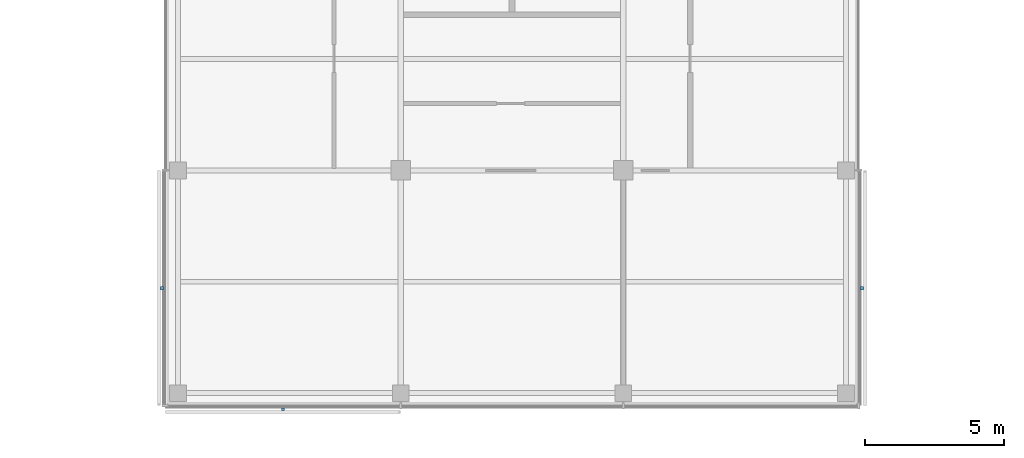
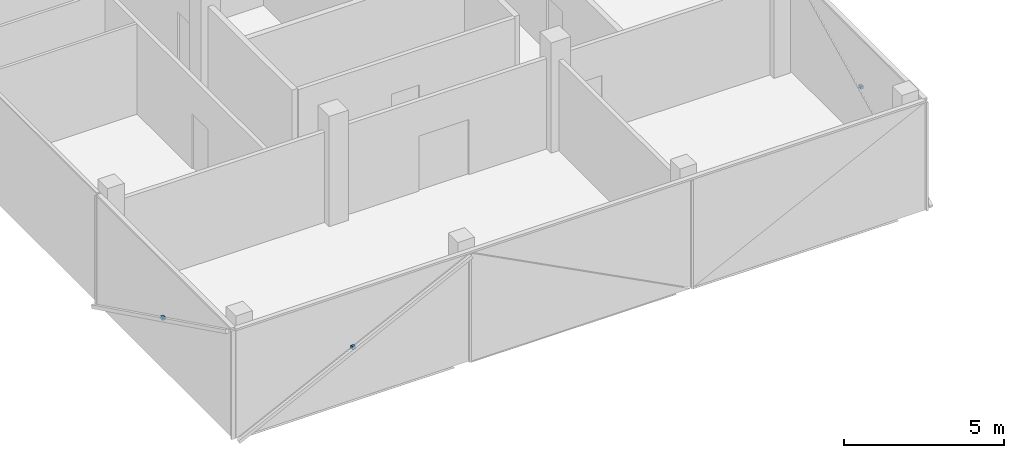
# One storey, part 14 of 16: 3 discrete accessories.
"""IFC4 building model written with IfcOpenShell, lengths in metres."""

from ifc_helpers import new_model, si_unit, direction, frame, origin, origin_2d, place, context, subcontext, project, spatial, rectangle, extrude, material, type_object, element, save


model = new_model("IFC4")

# Units and contexts
model_context = context("Model", 3, precision=1e-05, world=origin(), true_north=direction((0.0, 1.0)))
body_context = subcontext(model_context, "Body", "Model", "MODEL_VIEW")
ifc_project = project(units=[si_unit("LENGTHUNIT", "METRE"), si_unit("AREAUNIT", "SQUARE_METRE"), si_unit("VOLUMEUNIT", "CUBIC_METRE"), si_unit("PLANEANGLEUNIT", "RADIAN"), si_unit("MASSUNIT", "GRAM", prefix="KILO")], contexts=[model_context])

# Site, building, storey
site_placement = place(None, origin())
site = spatial("IfcSite", under=ifc_project, at=site_placement, CompositionType="ELEMENT")
building_placement = place(site_placement, origin())
building = spatial("IfcBuilding", under=site, at=building_placement, Name="Crosswind Convention Tower", CompositionType="ELEMENT")
storey_placement = place(building_placement, frame((0.0, 0.0, 287.10009765625)))
storey = spatial("IfcBuildingStorey", under=building, at=storey_placement, Name="L62", CompositionType="ELEMENT", Elevation=287.10009765625)

# Discrete accessories
ifc_material = material(Name="Stainless steel", Category="steel")
discrete_accessory_type = type_object("IfcDiscreteAccessoryType", Name="BAGUETTE BRACKET BK3", PredefinedType="BRACKET", material=ifc_material)
for number, where, z_axis, x_axis, name in (
    (1, (112.424072265625, 75.77001953125, 1.704833984375), (0.0, 0.0, 1.0), (0.0, -1.0, 0.0), "BK3 baguette bracket"),
    (2, (116.77001953125, 71.424072265625, 1.704833984375), (0.0, 0.0, 1.0), (1.0, 0.0, 0.0), "BK3 baguette bracket"),
    (3, (137.575927734375, 75.77001953125, 1.704833984375), (0.0, 0.0, 1.0), (0.0, 1.0, 0.0), "BK3 baguette bracket"),
):
    element("IfcDiscreteAccessory", number, at=place(storey_placement, frame(where, z_axis=z_axis, x_axis=x_axis)), inside=storey, type_object=discrete_accessory_type, Name=name, PredefinedType="BRACKET", context=body_context, shape_type="SweptSolid", body=[
        extrude(rectangle(XDim=0.1201171875, YDim=0.10009765625, at=origin_2d()), origin(), (0.0, 0.0, 1.0), 0.1201171875),
    ])

save(model, "model.ifc")
